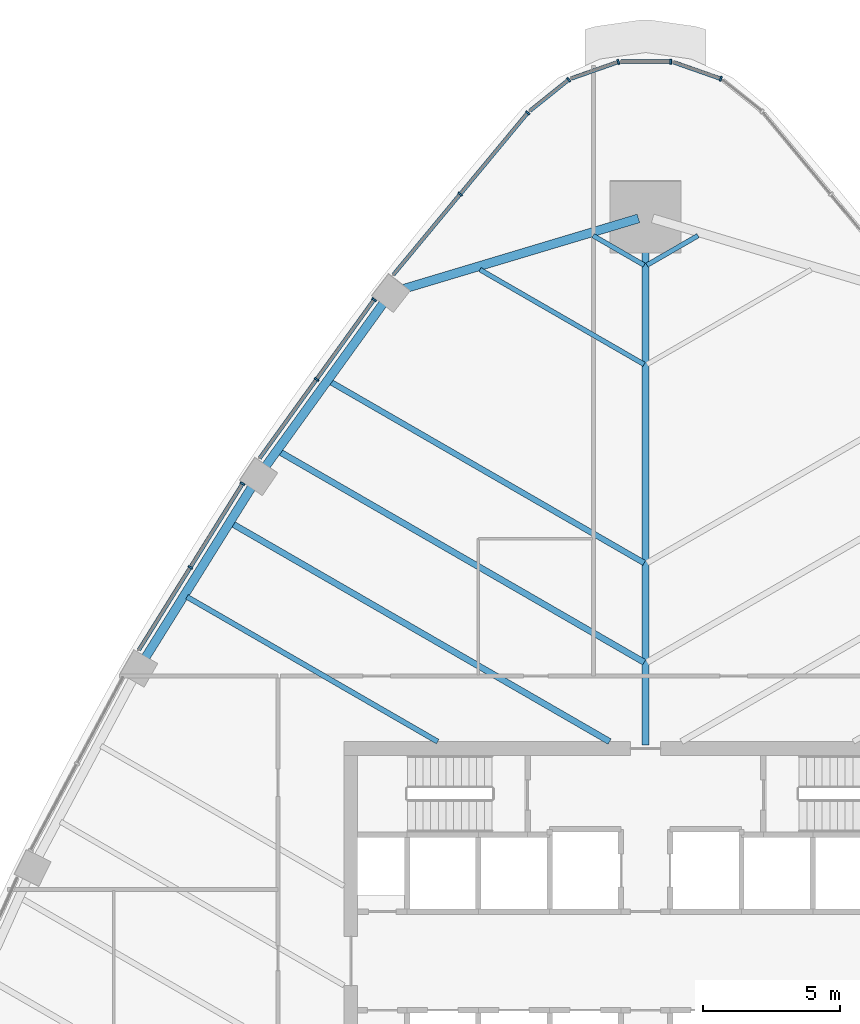
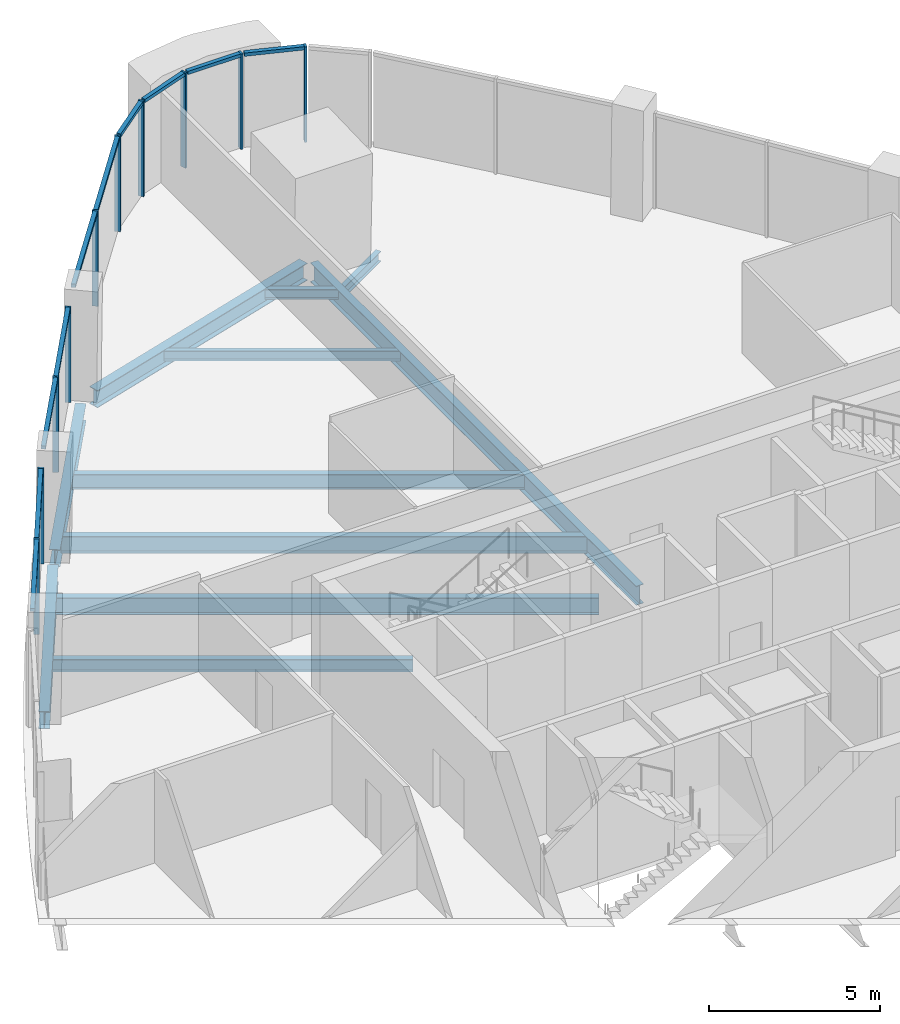
# One storey, part 6 of 16: 20 members, 11 beams, 7 elements without a shape of their own.
"""IFC4 building model written with IfcOpenShell, lengths in metres."""

from ifc_helpers import new_model, si_unit, direction, frame, origin, origin_2d, place, context, subcontext, project, spatial, rectangle, i_section, extrude, material, layer, layer_set, material_profile, profile_set, type_object, element, aggregate, save


model = new_model("IFC4")

# Units and contexts
model_context = context("Model", 3, precision=1e-05, world=origin(), true_north=direction((0.0, 1.0)))
body_context = subcontext(model_context, "Body", "Model", "MODEL_VIEW")
ifc_project = project(units=[si_unit("LENGTHUNIT", "METRE"), si_unit("AREAUNIT", "SQUARE_METRE"), si_unit("VOLUMEUNIT", "CUBIC_METRE"), si_unit("PLANEANGLEUNIT", "RADIAN"), si_unit("MASSUNIT", "GRAM", prefix="KILO")], contexts=[model_context])

# Site, building, storey
site_placement = place(None, origin())
site = spatial("IfcSite", under=ifc_project, at=site_placement, CompositionType="ELEMENT")
building_placement = place(site_placement, origin())
building = spatial("IfcBuilding", under=site, at=building_placement, Name="Sierra Prisma Convention Tower", CompositionType="ELEMENT")
storey_placement = place(building_placement, frame((0.0, 0.0, 181.800048828125)))
storey = spatial("IfcBuildingStorey", under=building, at=storey_placement, Name="L40", CompositionType="ELEMENT", Elevation=181.800048828125)

# Curtain wall, member
ifc_material_1 = material(Name="Aluminium and glass curtain wall", Category="aluminium")
ifc_layer = layer(ifc_material_1, 0.179931640625)
ifc_layer_set = layer_set([ifc_layer], Name="CW-1 Plain shaft curtain wall")
curtain_wall_type = type_object("IfcCurtainWallType", Name="CW-1 Plain shaft curtain wall", PredefinedType="NOTDEFINED", material=ifc_layer_set)
curtain_wall_1_placement = place(storey_placement, origin())
curtain_wall_1 = element("IfcCurtainWall", 1, at=curtain_wall_1_placement, inside=storey, type_object=curtain_wall_type, Name="CW-1 N2 L40", PredefinedType="NOTDEFINED")
ifc_material_2 = material(Name="Aluminium 6063-T6 bronze anodised", Category="aluminium")
ifc_material_profile_1 = material_profile(ifc_material_2, rectangle(XDim=0.179931640625, YDim=0.070068359375, at=origin_2d()), Name="ALU MULLION 70x180")
ifc_profile_set_1 = profile_set([ifc_material_profile_1], Name="Aluminium 6063-T6 bronze anodised")
member_type_1 = type_object("IfcMemberType", Name="CW mullion bronze", PredefinedType="MULLION", material=ifc_profile_set_1)
member_1_placement = place(storey_placement, frame((2.7431640625, 32.17626953125, 0.0), z_axis=(0.0, 0.0, 1.0), x_axis=(-0.331378171012, -0.943498016838, 0.0)))
member_1 = element("IfcMember", 2, at=member_1_placement, type_object=member_type_1, Name="CW-1 mullion N2.1", PredefinedType="MULLION", context=body_context, shape_type="SweptSolid", body=[
    extrude(rectangle(XDim=0.179931640625, YDim=0.070068359375, at=origin_2d()), origin(), (0.0, 0.0, 1.0), 3.39990234375),
])

curtain_wall_2_placement = place(storey_placement, origin())
curtain_wall_2 = element("IfcCurtainWall", 3, at=curtain_wall_2_placement, inside=storey, type_object=curtain_wall_type, Name="CW-1 N3 L40", PredefinedType="NOTDEFINED")
member_2_placement = place(storey_placement, frame((0.9267578125, 32.802001953125, 0.0), z_axis=(0.0, 0.0, 1.0), x_axis=(0.0, -1.0, 0.0)))
member_2 = element("IfcMember", 4, at=member_2_placement, type_object=member_type_1, Name="CW-1 mullion N3.1", PredefinedType="MULLION", context=body_context, shape_type="SweptSolid", body=[
    extrude(rectangle(XDim=0.179931640625, YDim=0.070068359375, at=origin_2d()), origin(), (0.0, 0.0, 1.0), 3.39990234375),
])

curtain_wall_3_placement = place(storey_placement, origin())
curtain_wall_3 = element("IfcCurtainWall", 5, at=curtain_wall_3_placement, inside=storey, type_object=curtain_wall_type, Name="CW-1 N4 L40", PredefinedType="NOTDEFINED")
member_3_placement = place(storey_placement, frame((-0.99462890625, 32.79052734375, 0.0), z_axis=(0.0, 0.0, 1.0), x_axis=(0.331378171012, -0.943498016838, 0.0)))
member_3 = element("IfcMember", 6, at=member_3_placement, type_object=member_type_1, Name="CW-1 mullion N4.1", PredefinedType="MULLION", context=body_context, shape_type="SweptSolid", body=[
    extrude(rectangle(XDim=0.179931640625, YDim=0.070068359375, at=origin_2d()), origin(), (0.0, 0.0, 1.0), 3.39990234375),
])

curtain_wall_4_placement = place(storey_placement, origin())
curtain_wall_4 = element("IfcCurtainWall", 7, at=curtain_wall_4_placement, inside=storey, type_object=curtain_wall_type, Name="CW-1 N5 L40", PredefinedType="NOTDEFINED")
member_4_placement = place(storey_placement, frame((-2.8037109375, 32.142822265625, 0.0), z_axis=(0.0, 0.0, 1.0), x_axis=(0.62530929436, -0.780377015542, 0.0)))
member_4 = element("IfcMember", 8, at=member_4_placement, type_object=member_type_1, Name="CW-1 mullion N5.1", PredefinedType="MULLION", context=body_context, shape_type="SweptSolid", body=[
    extrude(rectangle(XDim=0.179931640625, YDim=0.070068359375, at=origin_2d()), origin(), (0.0, 0.0, 1.0), 3.39990234375),
])

# Curtain wall, members
curtain_wall_5_placement = place(storey_placement, origin())
curtain_wall_5 = element("IfcCurtainWall", 9, at=curtain_wall_5_placement, inside=storey, type_object=curtain_wall_type, Name="CW-1 NW1 L40", PredefinedType="NOTDEFINED")
member_5_placement = place(storey_placement, frame((-4.299560546875, 30.93505859375, 0.0), z_axis=(0.0, 0.0, 1.0), x_axis=(0.769595692797, -0.638531494625, 0.0)))
member_5 = element("IfcMember", 10, at=member_5_placement, type_object=member_type_1, Name="CW-1 mullion NW1.1", PredefinedType="MULLION", context=body_context, shape_type="SweptSolid", body=[
    extrude(rectangle(XDim=0.179931640625, YDim=0.070068359375, at=origin_2d()), origin(), (0.0, 0.0, 1.0), 3.39990234375),
])
member_6_placement = place(storey_placement, frame((-6.76123046875, 27.96826171875, 0.0), z_axis=(0.0, 0.0, 1.0), x_axis=(0.769595692797, -0.638531494625, 0.0)))
member_6 = element("IfcMember", 11, at=member_6_placement, type_object=member_type_1, Name="CW-1 mullion NW1.2", PredefinedType="MULLION", context=body_context, shape_type="SweptSolid", body=[
    extrude(rectangle(XDim=0.179931640625, YDim=0.070068359375, at=origin_2d()), origin(), (0.0, 0.0, 1.0), 3.39990234375),
])

curtain_wall_6_placement = place(storey_placement, origin())
curtain_wall_6 = element("IfcCurtainWall", 12, at=curtain_wall_6_placement, inside=storey, type_object=curtain_wall_type, Name="CW-1 NW2 L40", PredefinedType="NOTDEFINED")
member_7_placement = place(storey_placement, frame((-9.903564453125, 24.11962890625, 0.0), z_axis=(0.0, 0.0, 1.0), x_axis=(0.810967408161, -0.585091328684, 0.0)))
member_7 = element("IfcMember", 13, at=member_7_placement, type_object=member_type_1, Name="CW-1 mullion NW2.1", PredefinedType="MULLION", context=body_context, shape_type="SweptSolid", body=[
    extrude(rectangle(XDim=0.179931640625, YDim=0.070068359375, at=origin_2d()), origin(), (0.0, 0.0, 1.0), 3.39990234375),
])
member_8_placement = place(storey_placement, frame((-11.999755859375, 21.214111328125, 0.0), z_axis=(0.0, 0.0, 1.0), x_axis=(0.810967408161, -0.585091328684, 0.0)))
member_8 = element("IfcMember", 14, at=member_8_placement, type_object=member_type_1, Name="CW-1 mullion NW2.2", PredefinedType="MULLION", context=body_context, shape_type="SweptSolid", body=[
    extrude(rectangle(XDim=0.179931640625, YDim=0.070068359375, at=origin_2d()), origin(), (0.0, 0.0, 1.0), 3.39990234375),
])

curtain_wall_7_placement = place(storey_placement, origin())
curtain_wall_7 = element("IfcCurtainWall", 15, at=curtain_wall_7_placement, inside=storey, type_object=curtain_wall_type, Name="CW-1 NW3 L40", PredefinedType="NOTDEFINED")
member_9_placement = place(storey_placement, frame((-14.698486328125, 17.41015625, 0.0), z_axis=(0.0, 0.0, 1.0), x_axis=(0.84863505409, -0.528978775538, 0.0)))
member_9 = element("IfcMember", 16, at=member_9_placement, type_object=member_type_1, Name="CW-1 mullion NW3.1", PredefinedType="MULLION", context=body_context, shape_type="SweptSolid", body=[
    extrude(rectangle(XDim=0.179931640625, YDim=0.070068359375, at=origin_2d()), origin(), (0.0, 0.0, 1.0), 3.39990234375),
])
member_10_placement = place(storey_placement, frame((-16.602294921875, 14.35595703125, 0.0), z_axis=(0.0, 0.0, 1.0), x_axis=(0.84863505409, -0.528978775538, 0.0)))
member_10 = element("IfcMember", 17, at=member_10_placement, type_object=member_type_1, Name="CW-1 mullion NW3.2", PredefinedType="MULLION", context=body_context, shape_type="SweptSolid", body=[
    extrude(rectangle(XDim=0.179931640625, YDim=0.070068359375, at=origin_2d()), origin(), (0.0, 0.0, 1.0), 3.39990234375),
])

# Member
ifc_material_3 = material(Name="Aluminium 6063-T6 bronze anodised", Category="aluminium")
ifc_material_profile_2 = material_profile(ifc_material_3, rectangle(XDim=0.139892578125, YDim=0.1201171875, at=origin_2d()), Name="ALU TRANSOM 120x140")
ifc_profile_set_2 = profile_set([ifc_material_profile_2], Name="Aluminium 6063-T6 bronze anodised")
member_type_2 = type_object("IfcMemberType", Name="CW transom bronze", PredefinedType="USERDEFINED", material=ifc_profile_set_2)
member_11_placement = place(storey_placement, frame((2.710205078125, 32.18798828125, 3.33984375), z_axis=(-0.943524922839, 0.33130155445, 0.0), x_axis=(-0.33130155445, -0.943524922839, 0.0)))
member_11 = element("IfcMember", 18, at=member_11_placement, type_object=member_type_2, Name="CW-1 transom N2.1", ObjectType="TRANSOM", PredefinedType="USERDEFINED", context=body_context, shape_type="SweptSolid", body=[
    extrude(rectangle(XDim=0.139892578125, YDim=0.1201171875, at=origin_2d()), origin(), (0.0, 0.0, 1.0), 1.783447265625),
])

aggregate(curtain_wall_1, [member_1, member_11])

member_12_placement = place(storey_placement, frame((0.8916015625, 32.802001953125, 3.33984375), z_axis=(-1.0, 0.0, 0.0), x_axis=(0.0, -1.0, 0.0)))
member_12 = element("IfcMember", 19, at=member_12_placement, type_object=member_type_2, Name="CW-1 transom N3.1", ObjectType="TRANSOM", PredefinedType="USERDEFINED", context=body_context, shape_type="SweptSolid", body=[
    extrude(rectangle(XDim=0.139892578125, YDim=0.1201171875, at=origin_2d()), origin(), (0.0, 0.0, 1.0), 1.783203125),
])

aggregate(curtain_wall_2, [member_2, member_12])

member_13_placement = place(storey_placement, frame((-1.027587890625, 32.77880859375, 3.33984375), z_axis=(-0.943524922839, -0.33130155445, 0.0), x_axis=(0.33130155445, -0.943524922839, 0.0)))
member_13 = element("IfcMember", 20, at=member_13_placement, type_object=member_type_2, Name="CW-1 transom N4.1", ObjectType="TRANSOM", PredefinedType="USERDEFINED", context=body_context, shape_type="SweptSolid", body=[
    extrude(rectangle(XDim=0.139892578125, YDim=0.1201171875, at=origin_2d()), origin(), (0.0, 0.0, 1.0), 1.783447265625),
])

aggregate(curtain_wall_3, [member_3, member_13])

member_14_placement = place(storey_placement, frame((-2.8310546875, 32.120849609375, 3.33984375), z_axis=(-0.780401084776, -0.625279255118, 0.0), x_axis=(0.625279255118, -0.780401084776, 0.0)))
member_14 = element("IfcMember", 21, at=member_14_placement, type_object=member_type_2, Name="CW-1 transom N5.1", ObjectType="TRANSOM", PredefinedType="USERDEFINED", context=body_context, shape_type="SweptSolid", body=[
    extrude(rectangle(XDim=0.139892578125, YDim=0.1201171875, at=origin_2d()), origin(), (0.0, 0.0, 1.0), 1.783203125),
])

aggregate(curtain_wall_4, [member_4, member_14])

member_15_placement = place(storey_placement, frame((-4.322021484375, 30.908203125, 3.33984375), z_axis=(-0.638495255418, -0.76962575893, 0.0), x_axis=(0.76962575893, -0.638495255418, 0.0)))
member_15 = element("IfcMember", 22, at=member_15_placement, type_object=member_type_2, Name="CW-1 transom NW1.1", ObjectType="TRANSOM", PredefinedType="USERDEFINED", context=body_context, shape_type="SweptSolid", body=[
    extrude(rectangle(XDim=0.139892578125, YDim=0.1201171875, at=origin_2d()), origin(), (0.0, 0.0, 1.0), 3.78515625),
])

member_16_placement = place(storey_placement, frame((-6.783447265625, 27.941162109375, 3.33984375), z_axis=(-0.638565154784, -0.76956776381, 0.0), x_axis=(0.76956776381, -0.638565154784, 0.0)))
member_16 = element("IfcMember", 23, at=member_16_placement, type_object=member_type_2, Name="CW-1 transom NW1.2", ObjectType="TRANSOM", PredefinedType="USERDEFINED", context=body_context, shape_type="SweptSolid", body=[
    extrude(rectangle(XDim=0.139892578125, YDim=0.1201171875, at=origin_2d()), origin(), (0.0, 0.0, 1.0), 3.78515625),
])

aggregate(curtain_wall_5, [member_5, member_6, member_15, member_16])

member_17_placement = place(storey_placement, frame((-9.923828125, 24.09130859375, 3.33984375), z_axis=(-0.585097184184, -0.810963183542, 0.0), x_axis=(0.810963183542, -0.585097184184, 0.0)))
member_17 = element("IfcMember", 24, at=member_17_placement, type_object=member_type_2, Name="CW-1 transom NW2.1", ObjectType="TRANSOM", PredefinedType="USERDEFINED", context=body_context, shape_type="SweptSolid", body=[
    extrude(rectangle(XDim=0.139892578125, YDim=0.1201171875, at=origin_2d()), origin(), (0.0, 0.0, 1.0), 3.512939453125),
])

member_18_placement = place(storey_placement, frame((-12.020263671875, 21.185791015625, 3.33984375), z_axis=(-0.585051475758, -0.810996159494, 0.0), x_axis=(0.810996159494, -0.585051475758, 0.0)))
member_18 = element("IfcMember", 25, at=member_18_placement, type_object=member_type_2, Name="CW-1 transom NW2.2", ObjectType="TRANSOM", PredefinedType="USERDEFINED", context=body_context, shape_type="SweptSolid", body=[
    extrude(rectangle(XDim=0.139892578125, YDim=0.1201171875, at=origin_2d()), origin(), (0.0, 0.0, 1.0), 3.5126953125),
])

aggregate(curtain_wall_6, [member_7, member_8, member_17, member_18])

member_19_placement = place(storey_placement, frame((-14.717041015625, 17.38037109375, 3.33984375), z_axis=(-0.528991103051, -0.84862736987, 0.0), x_axis=(0.84862736987, -0.528991103051, 0.0)))
member_19 = element("IfcMember", 26, at=member_19_placement, type_object=member_type_2, Name="CW-1 transom NW3.1", ObjectType="TRANSOM", PredefinedType="USERDEFINED", context=body_context, shape_type="SweptSolid", body=[
    extrude(rectangle(XDim=0.139892578125, YDim=0.1201171875, at=origin_2d()), origin(), (0.0, 0.0, 1.0), 3.52880859375),
])

member_20_placement = place(storey_placement, frame((-16.620849609375, 14.326171875, 3.33984375), z_axis=(-0.528991103051, -0.84862736987, 0.0), x_axis=(0.84862736987, -0.528991103051, 0.0)))
member_20 = element("IfcMember", 27, at=member_20_placement, type_object=member_type_2, Name="CW-1 transom NW3.2", ObjectType="TRANSOM", PredefinedType="USERDEFINED", context=body_context, shape_type="SweptSolid", body=[
    extrude(rectangle(XDim=0.139892578125, YDim=0.1201171875, at=origin_2d()), origin(), (0.0, 0.0, 1.0), 3.52880859375),
])

aggregate(curtain_wall_7, [member_9, member_10, member_19, member_20])

# Beams
ifc_material_4 = material(Name="Steel ASTM A992 Gr 50", Category="steel")
ifc_material_profile_3 = material_profile(ifc_material_4, i_section(OverallWidth=0.172119140625, OverallDepth=0.35791015625, WebThickness=0.0078125, FlangeThickness=0.01318359375, at=origin_2d()), Name="W360x57")
ifc_profile_set_3 = profile_set([ifc_material_profile_3], Name="Steel ASTM A992 Gr 50")
beam_type_1 = type_object("IfcBeamType", Name="Floor joist W360x57", PredefinedType="JOIST", material=ifc_profile_set_3)
for number, where, z_axis, x_axis, name in (
    (28, (1.913818359375, 26.4560546875, -0.3291015625), (-0.866062745931, -0.499935315926, 0.0), (0.499935315926, -0.866062745931, 0.0), "Floor joist L40 NE15"),
    (29, (-1.913818359375, 26.4560546875, -0.3291015625), (0.866062745931, -0.499935315926, 0.0), (0.499935315926, 0.866062745931, 0.0), "Floor joist L40 NW01"),
):
    element("IfcBeam", number, at=place(storey_placement, frame(where, z_axis=z_axis, x_axis=x_axis)), inside=storey, type_object=beam_type_1, Name=name, PredefinedType="JOIST", context=body_context, shape_type="SweptSolid", body=[
        extrude(i_section(OverallWidth=0.172119140625, OverallDepth=0.35791015625, WebThickness=0.0078125, FlangeThickness=0.01318359375, at=origin_2d()), origin(), (0.0, 0.0, 1.0), 2.151123046875),
    ])
beam_1_placement = place(storey_placement, frame((-6.04150390625, 25.2177734375, -0.3291015625), z_axis=(0.866025723269, -0.499999446636, 0.0), x_axis=(0.499999446636, 0.866025723269, 0.0)))
element("IfcBeam", 30, at=beam_1_placement, inside=storey, type_object=beam_type_1, Name="Floor joist L40 NW02", PredefinedType="JOIST", context=body_context, shape_type="SweptSolid", body=[
    extrude(i_section(OverallWidth=0.172119140625, OverallDepth=0.35791015625, WebThickness=0.0078125, FlangeThickness=0.01318359375, at=origin_2d()), origin(), (0.0, 0.0, 1.0), 6.91748046875),
])
ifc_material_5 = material(Name="Steel ASTM A992 Gr 50", Category="steel")
ifc_material_profile_4 = material_profile(ifc_material_5, i_section(OverallWidth=0.18994140625, OverallDepth=0.45703125, WebThickness=0.009033203125, FlangeThickness=0.014404296875, at=origin_2d()), Name="W460x74")
ifc_profile_set_4 = profile_set([ifc_material_profile_4], Name="Steel ASTM A992 Gr 50")
beam_type_2 = type_object("IfcBeamType", Name="Floor joist W460x74", PredefinedType="JOIST", material=ifc_profile_set_4)
beam_2_placement = place(storey_placement, frame((-16.728271484375, 13.27978515625, -0.378662109375), z_axis=(0.86602349192, -0.500003311431, 0.0), x_axis=(0.500003311431, 0.86602349192, 0.0)))
element("IfcBeam", 31, at=beam_2_placement, inside=storey, type_object=beam_type_2, Name="Floor joist L40 NW07", PredefinedType="JOIST", context=body_context, shape_type="SweptSolid", body=[
    extrude(i_section(OverallWidth=0.18994140625, OverallDepth=0.45703125, WebThickness=0.009033203125, FlangeThickness=0.014404296875, at=origin_2d()), origin(), (0.0, 0.0, 1.0), 10.5595703125),
])
ifc_material_6 = material(Name="Steel ASTM A992 Gr 50", Category="steel")
ifc_material_profile_5 = material_profile(ifc_material_6, i_section(OverallWidth=0.208984375, OverallDepth=0.532958984375, WebThickness=0.01025390625, FlangeThickness=0.015625, at=origin_2d()), Name="W530x92")
ifc_profile_set_5 = profile_set([ifc_material_profile_5], Name="Steel ASTM A992 Gr 50")
beam_type_3 = type_object("IfcBeamType", Name="Floor joist W530x92", PredefinedType="JOIST", material=ifc_profile_set_5)
beam_3_placement = place(storey_placement, frame((-11.4951171875, 21.123046875, -0.41650390625), z_axis=(0.866024373554, -0.500001784407, 0.0), x_axis=(0.500001784407, 0.866024373554, 0.0)))
element("IfcBeam", 32, at=beam_3_placement, inside=storey, type_object=beam_type_3, Name="Floor joist L40 NW04", PredefinedType="JOIST", context=body_context, shape_type="SweptSolid", body=[
    extrude(i_section(OverallWidth=0.208984375, OverallDepth=0.532958984375, WebThickness=0.01025390625, FlangeThickness=0.015625, at=origin_2d()), origin(), (0.0, 0.0, 1.0), 13.21484375),
])
ifc_material_7 = material(Name="Steel ASTM A992 Gr 50", Category="steel")
ifc_material_profile_6 = material_profile(ifc_material_7, i_section(OverallWidth=0.22802734375, OverallDepth=0.60302734375, WebThickness=0.010498046875, FlangeThickness=0.014892578125, at=origin_2d()), Name="W610x101")
ifc_profile_set_6 = profile_set([ifc_material_profile_6], Name="Steel ASTM A992 Gr 50")
beam_type_4 = type_object("IfcBeamType", Name="Floor joist W610x101", PredefinedType="JOIST", material=ifc_profile_set_6)
beam_4_placement = place(storey_placement, frame((-13.339599609375, 18.56640625, -0.45166015625), z_axis=(0.866023698658, -0.500002953354, 0.0), x_axis=(0.500002953354, 0.866023698658, 0.0)))
element("IfcBeam", 33, at=beam_4_placement, inside=storey, type_object=beam_type_4, Name="Floor joist L40 NW05", PredefinedType="JOIST", context=body_context, shape_type="SweptSolid", body=[
    extrude(i_section(OverallWidth=0.22802734375, OverallDepth=0.60302734375, WebThickness=0.010498046875, FlangeThickness=0.014892578125, at=origin_2d()), origin(), (0.0, 0.0, 1.0), 15.3447265625),
])
beam_5_placement = place(storey_placement, frame((-15.068359375, 15.94287109375, -0.45166015625), z_axis=(0.86602716741, -0.499996945299, 0.0), x_axis=(0.499996945299, 0.86602716741, 0.0)))
element("IfcBeam", 34, at=beam_5_placement, inside=storey, type_object=beam_type_4, Name="Floor joist L40 NW06", PredefinedType="JOIST", context=body_context, shape_type="SweptSolid", body=[
    extrude(i_section(OverallWidth=0.22802734375, OverallDepth=0.60302734375, WebThickness=0.010498046875, FlangeThickness=0.014892578125, at=origin_2d()), origin(), (0.0, 0.0, 1.0), 15.8857421875),
])
ifc_material_8 = material(Name="Steel ASTM A992 Gr 50", Category="steel")
ifc_material_profile_7 = material_profile(ifc_material_8, i_section(OverallWidth=0.25390625, OverallDepth=0.68408203125, WebThickness=0.012451171875, FlangeThickness=0.018798828125, at=origin_2d()), Name="W690x140")
ifc_profile_set_7 = profile_set([ifc_material_profile_7], Name="Steel ASTM A992 Gr 50")
beam_type_5 = type_object("IfcBeamType", Name="Radial girder W690x140", PredefinedType="BEAM", material=ifc_profile_set_7)
beam_6_placement = place(storey_placement, frame((0.0, 26.902099609375, -0.491943359375), z_axis=(0.0, -1.0, 0.0), x_axis=(1.0, 0.0, 0.0)))
element("IfcBeam", 35, at=beam_6_placement, inside=storey, type_object=beam_type_5, Name="Radial girder L40 N", PredefinedType="BEAM", context=body_context, shape_type="SweptSolid", body=[
    extrude(i_section(OverallWidth=0.25390625, OverallDepth=0.68408203125, WebThickness=0.012451171875, FlangeThickness=0.018798828125, at=origin_2d()), origin(), (0.0, 0.0, 1.0), 19.022216796875),
])
ifc_material_9 = material(Name="Steel ASTM A992 Gr 50", Category="steel")
ifc_material_profile_8 = material_profile(ifc_material_9, i_section(OverallWidth=0.324951171875, OverallDepth=0.615966796875, WebThickness=0.013916015625, FlangeThickness=0.021484375, at=origin_2d()), Name="W610x174")
ifc_profile_set_8 = profile_set([ifc_material_profile_8], Name="Steel ASTM A992 Gr 50")
beam_type_6 = type_object("IfcBeamType", Name="Spandrel beam W610x174", PredefinedType="BEAM", material=ifc_profile_set_8)
beam_7_placement = place(storey_placement, frame((-0.260009765625, 27.083984375, -0.4580078125), z_axis=(-0.957819513313, -0.287370457629, 0.0), x_axis=(0.287370457629, -0.957819513313, 0.0)))
element("IfcBeam", 36, at=beam_7_placement, inside=storey, type_object=beam_type_6, Name="Spandrel L40-13", PredefinedType="BEAM", context=body_context, shape_type="SweptSolid", body=[
    extrude(i_section(OverallWidth=0.324951171875, OverallDepth=0.615966796875, WebThickness=0.013916015625, FlangeThickness=0.021484375, at=origin_2d()), origin(), (0.0, 0.0, 1.0), 8.9306640625),
])
for number, where, z_axis, x_axis, name in (
    (37, (-9.510009765625, 24.06689453125, -0.4580078125), (-0.585113528379, -0.810951391211, 0.0), (0.810951391211, -0.585113528379, 0.0), "Spandrel L40-14"),
    (38, (-14.319580078125, 17.35693359375, -0.4580078125), (-0.528968021834, -0.84864175709, 0.0), (0.84864175709, -0.528968021834, 0.0), "Spandrel L40-15"),
):
    element("IfcBeam", number, at=place(storey_placement, frame(where, z_axis=z_axis, x_axis=x_axis)), inside=storey, type_object=beam_type_6, Name=name, PredefinedType="BEAM", context=body_context, shape_type="SweptSolid", body=[
        extrude(i_section(OverallWidth=0.324951171875, OverallDepth=0.615966796875, WebThickness=0.013916015625, FlangeThickness=0.021484375, at=origin_2d()), origin(), (0.0, 0.0, 1.0), 7.495849609375),
    ])

save(model, "model.ifc")
